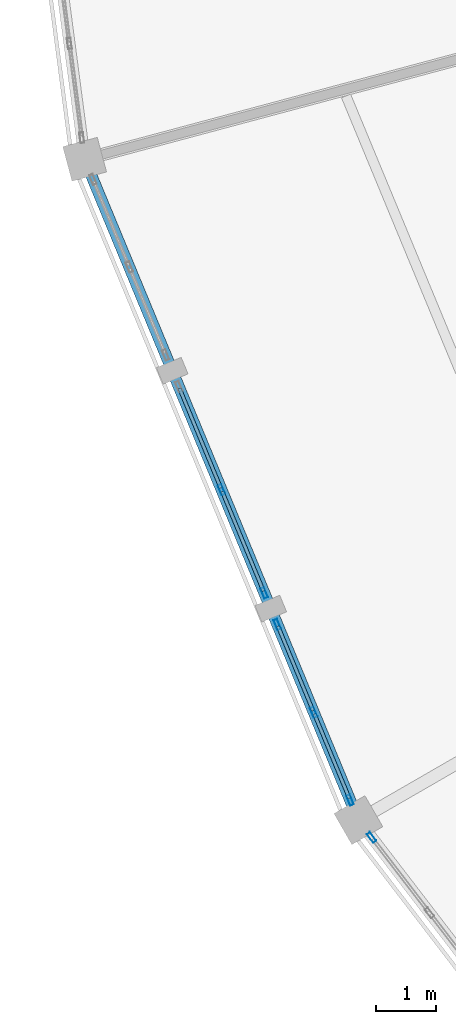
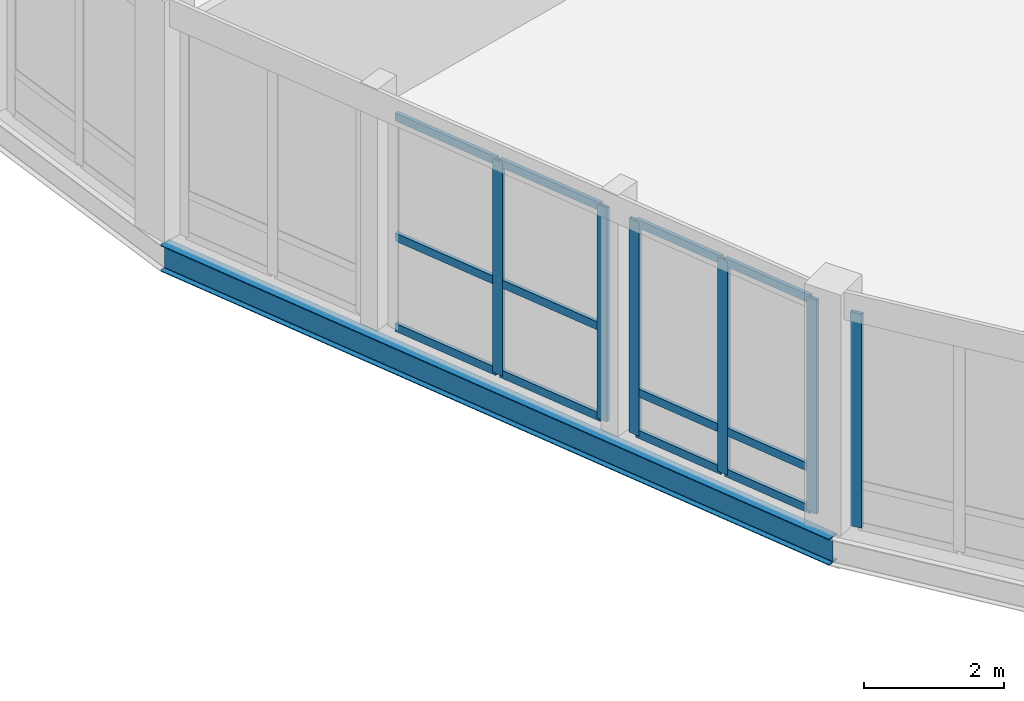
# One storey, part 38 of 185: 18 members, 1 beam, 3 elements without a shape of their own.
"""IFC4 building model written with IfcOpenShell, lengths in metres."""

from ifc_helpers import new_model, si_unit, direction, frame, origin, origin_2d, place, context, subcontext, project, spatial, hollow_rectangle, i_section, extrude, material, material_profile, profile_set, type_object, element, aggregate, save


model = new_model("IFC4")

# Units and contexts
model_context = context("Model", 3, precision=1e-05, world=origin(), true_north=direction((0.0, 1.0)))
body_context = subcontext(model_context, "Body", "Model", "MODEL_VIEW")
ifc_project = project(units=[si_unit("LENGTHUNIT", "METRE"), si_unit("AREAUNIT", "SQUARE_METRE"), si_unit("VOLUMEUNIT", "CUBIC_METRE"), si_unit("PLANEANGLEUNIT", "RADIAN"), si_unit("MASSUNIT", "GRAM", prefix="KILO")], contexts=[model_context])

# Site, building, storey
site_placement = place(None, origin())
site = spatial("IfcSite", under=ifc_project, at=site_placement, CompositionType="ELEMENT")
building_placement = place(site_placement, origin())
building = spatial("IfcBuilding", under=site, at=building_placement, Name="Vondelvale Polytechnic", CompositionType="ELEMENT")
storey_placement = place(building_placement, frame((0.0, 0.0, 9.60009765625)))
storey = spatial("IfcBuildingStorey", under=building, at=storey_placement, Name="L02", CompositionType="ELEMENT", Elevation=9.60009765625)

# Beam
ifc_material_1 = material(Name="Steel 300PLUS (fy = 300 MPa)", Category="steel")
ifc_material_profile_1 = material_profile(ifc_material_1, i_section(OverallWidth=0.18994140625, OverallDepth=0.45703125, WebThickness=0.009033203125, FlangeThickness=0.014404296875, FilletRadius=0.011474609375, at=origin_2d()), Name="460UB74.6")
ifc_profile_set_1 = profile_set([ifc_material_profile_1], Name="Steel 300PLUS (fy = 300 MPa)")
beam_type = type_object("IfcBeamType", Name="BM-UB460", PredefinedType="BEAM", material=ifc_profile_set_1)
beam_placement = place(storey_placement, frame((57.5673828125, 60.09423828125, -0.508544921875), z_axis=(0.382688765072, -0.923877323614, 0.0), x_axis=(0.923877323614, 0.382688765072, 0.0)))
element("IfcBeam", 1, at=beam_placement, inside=storey, type_object=beam_type, Name="L02 RB B-13", PredefinedType="BEAM", context=body_context, shape_type="SweptSolid", body=[
    extrude(i_section(OverallWidth=0.18994140625, OverallDepth=0.45703125, WebThickness=0.009033203125, FlangeThickness=0.014404296875, FilletRadius=0.011474609375, at=origin_2d()), origin(), (0.0, 0.0, 1.0), 12.00830078125),
])

# Curtain wall, members
ifc_material_2 = material(Name="Glulam GL18 structural Tasmanian oak (fb = 42 MPa)", Category="wood")
curtain_wall_type = type_object("IfcCurtainWallType", Name="CW-RING-OUTER", PredefinedType="NOTDEFINED", material=ifc_material_2)
curtain_wall_1_placement = place(storey_placement, origin())
curtain_wall_1 = element("IfcCurtainWall", 2, at=curtain_wall_1_placement, inside=storey, type_object=curtain_wall_type, Name="L02 architectural curtain wall CW-04-285", PredefinedType="NOTDEFINED")
ifc_material_3 = material(Name="Anodised extruded aluminium 6063-T6", Category="aluminium")
ifc_material_profile_2 = material_profile(ifc_material_3, hollow_rectangle(XDim=0.06494140625, YDim=0.179931640625, WallThickness=0.00390625, at=origin_2d()), Name="CW-MUL-180x65")
ifc_profile_set_2 = profile_set([ifc_material_profile_2], Name="Anodised extruded aluminium 6063-T6")
member_type_1 = type_object("IfcMemberType", Name="CW-MUL-65x180", PredefinedType="MULLION", material=ifc_profile_set_2)
member_1_placement = place(storey_placement, frame((59.864990234375, 54.547119140625, 0.0), z_axis=(0.0, 0.0, 1.0), x_axis=(0.92387490701, 0.382694599123, 0.0)))
member_1 = element("IfcMember", 3, at=member_1_placement, type_object=member_type_1, Name="CW-04-285 mullion 2", PredefinedType="MULLION", context=body_context, shape_type="SweptSolid", body=[
    extrude(hollow_rectangle(XDim=0.06494140625, YDim=0.179931640625, WallThickness=0.00390625, at=origin_2d()), origin(), (0.0, 0.0, 1.0), 3.719970703125),
])
member_2_placement = place(storey_placement, frame((60.582275390625, 52.81591796875, 0.0), z_axis=(0.0, 0.0, 1.0), x_axis=(0.92387490701, 0.382694599123, 0.0)))
member_2 = element("IfcMember", 4, at=member_2_placement, type_object=member_type_1, Name="CW-04-285 mullion 3", PredefinedType="MULLION", context=body_context, shape_type="SweptSolid", body=[
    extrude(hollow_rectangle(XDim=0.06494140625, YDim=0.179931640625, WallThickness=0.00390625, at=origin_2d()), origin(), (0.0, 0.0, 1.0), 3.719970703125),
])

curtain_wall_2_placement = place(storey_placement, origin())
curtain_wall_2 = element("IfcCurtainWall", 5, at=curtain_wall_2_placement, inside=storey, type_object=curtain_wall_type, Name="L02 architectural curtain wall CW-04-286", PredefinedType="NOTDEFINED")
member_3_placement = place(storey_placement, frame((60.80224609375, 52.28466796875, 0.0), z_axis=(0.0, 0.0, 1.0), x_axis=(0.923882033442, 0.382677394529, 0.0)))
member_3 = element("IfcMember", 6, at=member_3_placement, type_object=member_type_1, Name="CW-04-286 mullion 1", PredefinedType="MULLION", context=body_context, shape_type="SweptSolid", body=[
    extrude(hollow_rectangle(XDim=0.06494140625, YDim=0.179931640625, WallThickness=0.00390625, at=origin_2d()), origin(), (0.0, 0.0, 1.0), 3.719970703125),
])
member_4_placement = place(storey_placement, frame((61.41259765625, 50.81103515625, 0.0), z_axis=(0.0, 0.0, 1.0), x_axis=(0.923882033442, 0.382677394529, 0.0)))
member_4 = element("IfcMember", 7, at=member_4_placement, type_object=member_type_1, Name="CW-04-286 mullion 2", PredefinedType="MULLION", context=body_context, shape_type="SweptSolid", body=[
    extrude(hollow_rectangle(XDim=0.06494140625, YDim=0.179931640625, WallThickness=0.00390625, at=origin_2d()), origin(), (0.0, 0.0, 1.0), 3.719970703125),
])
member_5_placement = place(storey_placement, frame((62.02294921875, 49.33740234375, 0.0), z_axis=(0.0, 0.0, 1.0), x_axis=(0.923882033442, 0.382677394529, 0.0)))
member_5 = element("IfcMember", 8, at=member_5_placement, type_object=member_type_1, Name="CW-04-286 mullion 3", PredefinedType="MULLION", context=body_context, shape_type="SweptSolid", body=[
    extrude(hollow_rectangle(XDim=0.06494140625, YDim=0.179931640625, WallThickness=0.00390625, at=origin_2d()), origin(), (0.0, 0.0, 1.0), 3.719970703125),
])

# Curtain wall, member
curtain_wall_3_placement = place(storey_placement, origin())
curtain_wall_3 = element("IfcCurtainWall", 9, at=curtain_wall_3_placement, inside=storey, type_object=curtain_wall_type, Name="L02 architectural curtain wall CW-04-303", PredefinedType="NOTDEFINED")
member_6_placement = place(storey_placement, frame((62.385009765625, 48.710205078125, 0.0), z_axis=(0.0, 0.0, 1.0), x_axis=(0.793333825656, 0.608786860133, 0.0)))
member_6 = element("IfcMember", 10, at=member_6_placement, type_object=member_type_1, Name="CW-04-303 mullion 1", PredefinedType="MULLION", context=body_context, shape_type="SweptSolid", body=[
    extrude(hollow_rectangle(XDim=0.06494140625, YDim=0.179931640625, WallThickness=0.00390625, at=origin_2d()), origin(), (0.0, 0.0, 1.0), 3.719970703125),
])
aggregate(curtain_wall_3, [member_6])

# Member
ifc_material_profile_3 = material_profile(ifc_material_3, hollow_rectangle(XDim=0.06005859375, YDim=0.139892578125, WallThickness=0.00341796875, at=origin_2d()), Name="CW-TRN-140x60")
ifc_profile_set_3 = profile_set([ifc_material_profile_3], Name="Anodised extruded aluminium 6063-T6")
member_type_2 = type_object("IfcMemberType", Name="CW-TRN-60x140", PredefinedType="USERDEFINED", material=ifc_profile_set_3)
member_7_placement = place(storey_placement, frame((59.160400390625, 56.24853515625, 0.02978515625), z_axis=(0.382717291485, -0.923865506878, 0.0), x_axis=(0.923865506878, 0.382717291485, 0.0)))
member_7 = element("IfcMember", 11, at=member_7_placement, type_object=member_type_2, Name="CW-04-285 transom 1.1", ObjectType="TRANSOM", PredefinedType="USERDEFINED", context=body_context, shape_type="SweptSolid", body=[
    extrude(hollow_rectangle(XDim=0.06005859375, YDim=0.139892578125, WallThickness=0.00341796875, at=origin_2d()), origin(), (0.0, 0.0, 1.0), 1.80908203125),
])

member_8_placement = place(storey_placement, frame((59.160400390625, 56.24853515625, 1.599853515625), z_axis=(0.382717291485, -0.923865506878, 0.0), x_axis=(0.923865506878, 0.382717291485, 0.0)))
member_8 = element("IfcMember", 12, at=member_8_placement, type_object=member_type_2, Name="CW-04-285 transom 1.2", ObjectType="TRANSOM", PredefinedType="USERDEFINED", context=body_context, shape_type="SweptSolid", body=[
    extrude(hollow_rectangle(XDim=0.06005859375, YDim=0.139892578125, WallThickness=0.00341796875, at=origin_2d()), origin(), (0.0, 0.0, 1.0), 1.80908203125),
])

member_9_placement = place(storey_placement, frame((59.160400390625, 56.24853515625, 3.68994140625), z_axis=(0.382717291485, -0.923865506878, 0.0), x_axis=(0.923865506878, 0.382717291485, 0.0)))
member_9 = element("IfcMember", 13, at=member_9_placement, type_object=member_type_2, Name="CW-04-285 transom 1.3", ObjectType="TRANSOM", PredefinedType="USERDEFINED", context=body_context, shape_type="SweptSolid", body=[
    extrude(hollow_rectangle(XDim=0.06005859375, YDim=0.139892578125, WallThickness=0.00341796875, at=origin_2d()), origin(), (0.0, 0.0, 1.0), 1.80908203125),
])

member_10_placement = place(storey_placement, frame((59.87744140625, 54.51708984375, 0.02978515625), z_axis=(0.382765012338, -0.92384573676, 0.0), x_axis=(0.92384573676, 0.382765012338, 0.0)))
member_10 = element("IfcMember", 14, at=member_10_placement, type_object=member_type_2, Name="CW-04-285 transom 2.1", ObjectType="TRANSOM", PredefinedType="USERDEFINED", context=body_context, shape_type="SweptSolid", body=[
    extrude(hollow_rectangle(XDim=0.06005859375, YDim=0.139892578125, WallThickness=0.00341796875, at=origin_2d()), origin(), (0.0, 0.0, 1.0), 1.808837890625),
])

member_11_placement = place(storey_placement, frame((59.87744140625, 54.51708984375, 1.599853515625), z_axis=(0.382765012338, -0.92384573676, 0.0), x_axis=(0.92384573676, 0.382765012338, 0.0)))
member_11 = element("IfcMember", 15, at=member_11_placement, type_object=member_type_2, Name="CW-04-285 transom 2.2", ObjectType="TRANSOM", PredefinedType="USERDEFINED", context=body_context, shape_type="SweptSolid", body=[
    extrude(hollow_rectangle(XDim=0.06005859375, YDim=0.139892578125, WallThickness=0.00341796875, at=origin_2d()), origin(), (0.0, 0.0, 1.0), 1.808837890625),
])

member_12_placement = place(storey_placement, frame((59.87744140625, 54.51708984375, 3.68994140625), z_axis=(0.382765012338, -0.92384573676, 0.0), x_axis=(0.92384573676, 0.382765012338, 0.0)))
member_12 = element("IfcMember", 16, at=member_12_placement, type_object=member_type_2, Name="CW-04-285 transom 2.3", ObjectType="TRANSOM", PredefinedType="USERDEFINED", context=body_context, shape_type="SweptSolid", body=[
    extrude(hollow_rectangle(XDim=0.06005859375, YDim=0.139892578125, WallThickness=0.00341796875, at=origin_2d()), origin(), (0.0, 0.0, 1.0), 1.808837890625),
])

aggregate(curtain_wall_1, [member_1, member_2, member_7, member_8, member_9, member_10, member_11, member_12])

member_13_placement = place(storey_placement, frame((60.814697265625, 52.254638671875, 0.02978515625), z_axis=(0.382643045304, -0.923896260346, 0.0), x_axis=(0.923896260346, 0.382643045304, 0.0)))
member_13 = element("IfcMember", 17, at=member_13_placement, type_object=member_type_2, Name="CW-04-286 transom 1.1", ObjectType="TRANSOM", PredefinedType="USERDEFINED", context=body_context, shape_type="SweptSolid", body=[
    extrude(hollow_rectangle(XDim=0.06005859375, YDim=0.139892578125, WallThickness=0.00341796875, at=origin_2d()), origin(), (0.0, 0.0, 1.0), 1.530029296875),
])

member_14_placement = place(storey_placement, frame((60.814697265625, 52.254638671875, 0.75), z_axis=(0.382643045304, -0.923896260346, 0.0), x_axis=(0.923896260346, 0.382643045304, 0.0)))
member_14 = element("IfcMember", 18, at=member_14_placement, type_object=member_type_2, Name="CW-04-286 transom 1.2", ObjectType="TRANSOM", PredefinedType="USERDEFINED", context=body_context, shape_type="SweptSolid", body=[
    extrude(hollow_rectangle(XDim=0.06005859375, YDim=0.139892578125, WallThickness=0.00341796875, at=origin_2d()), origin(), (0.0, 0.0, 1.0), 1.530029296875),
])

member_15_placement = place(storey_placement, frame((60.814697265625, 52.254638671875, 3.68994140625), z_axis=(0.382643045304, -0.923896260346, 0.0), x_axis=(0.923896260346, 0.382643045304, 0.0)))
member_15 = element("IfcMember", 19, at=member_15_placement, type_object=member_type_2, Name="CW-04-286 transom 1.3", ObjectType="TRANSOM", PredefinedType="USERDEFINED", context=body_context, shape_type="SweptSolid", body=[
    extrude(hollow_rectangle(XDim=0.06005859375, YDim=0.139892578125, WallThickness=0.00341796875, at=origin_2d()), origin(), (0.0, 0.0, 1.0), 1.530029296875),
])

member_16_placement = place(storey_placement, frame((61.425048828125, 50.781005859375, 0.02978515625), z_axis=(0.382779237206, -0.923839843027, 0.0), x_axis=(0.923839843027, 0.382779237206, 0.0)))
member_16 = element("IfcMember", 20, at=member_16_placement, type_object=member_type_2, Name="CW-04-286 transom 2.1", ObjectType="TRANSOM", PredefinedType="USERDEFINED", context=body_context, shape_type="SweptSolid", body=[
    extrude(hollow_rectangle(XDim=0.06005859375, YDim=0.139892578125, WallThickness=0.00341796875, at=origin_2d()), origin(), (0.0, 0.0, 1.0), 1.530029296875),
])

member_17_placement = place(storey_placement, frame((61.425048828125, 50.781005859375, 0.75), z_axis=(0.382779237206, -0.923839843027, 0.0), x_axis=(0.923839843027, 0.382779237206, 0.0)))
member_17 = element("IfcMember", 21, at=member_17_placement, type_object=member_type_2, Name="CW-04-286 transom 2.2", ObjectType="TRANSOM", PredefinedType="USERDEFINED", context=body_context, shape_type="SweptSolid", body=[
    extrude(hollow_rectangle(XDim=0.06005859375, YDim=0.139892578125, WallThickness=0.00341796875, at=origin_2d()), origin(), (0.0, 0.0, 1.0), 1.530029296875),
])

member_18_placement = place(storey_placement, frame((61.425048828125, 50.781005859375, 3.68994140625), z_axis=(0.382779237206, -0.923839843027, 0.0), x_axis=(0.923839843027, 0.382779237206, 0.0)))
member_18 = element("IfcMember", 22, at=member_18_placement, type_object=member_type_2, Name="CW-04-286 transom 2.3", ObjectType="TRANSOM", PredefinedType="USERDEFINED", context=body_context, shape_type="SweptSolid", body=[
    extrude(hollow_rectangle(XDim=0.06005859375, YDim=0.139892578125, WallThickness=0.00341796875, at=origin_2d()), origin(), (0.0, 0.0, 1.0), 1.530029296875),
])

aggregate(curtain_wall_2, [member_3, member_4, member_5, member_13, member_14, member_15, member_16, member_17, member_18])

save(model, "model.ifc")
